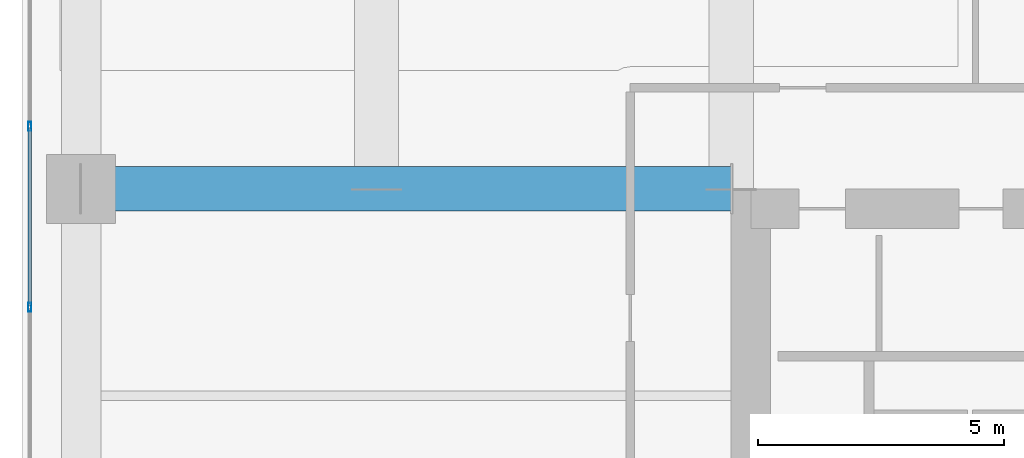
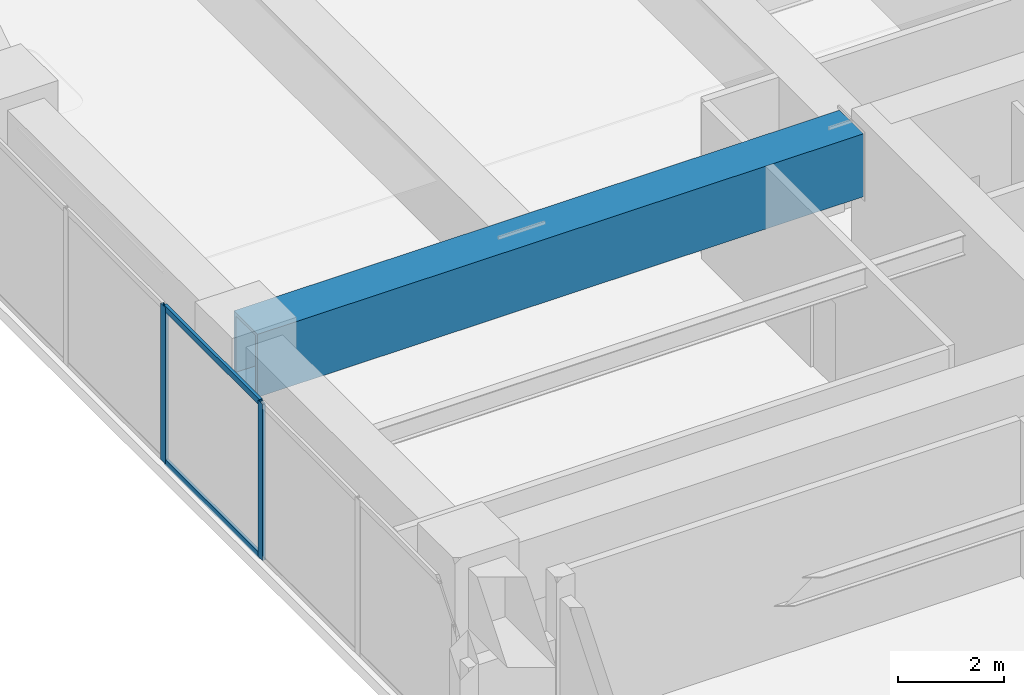
# One storey, part 8 of 25: 4 members, 1 beam, 1 element without a shape of its own.
"""IFC4 building model written with IfcOpenShell, lengths in metres."""

from ifc_helpers import new_model, si_unit, direction, frame, origin, origin_2d, place, context, subcontext, project, spatial, hollow_rectangle, extrude, material, layer, layer_set, material_profile, profile_set, type_object, element, aggregate, save


model = new_model("IFC4")

# Units and contexts
model_context = context("Model", 3, precision=1e-05, world=origin(), true_north=direction((0.0, 1.0)))
body_context = subcontext(model_context, "Body", "Model", "MODEL_VIEW")
ifc_project = project(units=[si_unit("LENGTHUNIT", "METRE"), si_unit("AREAUNIT", "SQUARE_METRE"), si_unit("VOLUMEUNIT", "CUBIC_METRE"), si_unit("PLANEANGLEUNIT", "RADIAN"), si_unit("MASSUNIT", "GRAM", prefix="KILO")], contexts=[model_context])

# Site, building, storey
site_placement = place(None, origin())
site = spatial("IfcSite", under=ifc_project, at=site_placement, CompositionType="ELEMENT")
building_placement = place(site_placement, origin())
building = spatial("IfcBuilding", under=site, at=building_placement, Name="Kiyonajd Concourse Tower", CompositionType="ELEMENT")
storey_placement = place(building_placement, frame((0.0, 0.0, 141.60009765625)))
storey = spatial("IfcBuildingStorey", under=building, at=storey_placement, Name="L36", CompositionType="ELEMENT", Elevation=141.60009765625)

# Beam
ifc_material_1 = material(Name="Steel ASTM A572 Grade 50", Category="steel")
ifc_material_profile_1 = material_profile(ifc_material_1, hollow_rectangle(XDim=0.89990234375, YDim=1.449951171875, WallThickness=0.074951171875, at=origin_2d()), Name="BOX-1450x900x75")
ifc_profile_set_1 = profile_set([ifc_material_profile_1], Name="Steel ASTM A572 Grade 50")
beam_type = type_object("IfcBeamType", Name="BM-XFER-1800", PredefinedType="BEAM", material=ifc_profile_set_1)
beam_placement = place(storey_placement, frame((19.199951171875, 44.39990234375, 2.875), z_axis=(1.0, 0.0, 0.0), x_axis=(0.0, 1.0, 0.0)))
element("IfcBeam", 1, at=beam_placement, inside=storey, type_object=beam_type, Name="L36 West Lease Girder", PredefinedType="BEAM", context=body_context, shape_type="SweptSolid", body=[
    extrude(hollow_rectangle(XDim=0.89990234375, YDim=1.449951171875, WallThickness=0.074951171875, at=origin_2d()), origin(), (0.0, 0.0, 1.0), 13.199951171875),
])

# Curtain wall, members
ifc_material_2 = material(Name="Thermally Broken Anodised Aluminium", Category="aluminium")
ifc_layer = layer(ifc_material_2, 0.179931640625)
ifc_layer_set = layer_set([ifc_layer], Name="Thermally Broken Anodised Aluminium")
curtain_wall_type = type_object("IfcCurtainWallType", Name="CW-SYS-03", PredefinedType="NOTDEFINED", material=ifc_layer_set)
curtain_wall_placement = place(storey_placement, origin())
curtain_wall = element("IfcCurtainWall", 2, at=curtain_wall_placement, inside=storey, type_object=curtain_wall_type, Name="L36 Unitised Curtain Wall CW3", PredefinedType="NOTDEFINED")
ifc_material_profile_2 = material_profile(ifc_material_2, hollow_rectangle(XDim=0.06494140625, YDim=0.179931640625, WallThickness=0.00390625, at=origin_2d()), Name="MULL-65x180")
ifc_profile_set_2 = profile_set([ifc_material_profile_2], Name="Thermally Broken Anodised Aluminium")
member_type_1 = type_object("IfcMemberType", Name="MB-CW-MULL1", PredefinedType="MULLION", material=ifc_profile_set_2)
member_1_placement = place(storey_placement, frame((18.159912109375, 41.996337890625, 0.0), z_axis=(0.0, 0.0, 1.0), x_axis=(-1.0, 0.0, 0.0)))
member_1 = element("IfcMember", 3, at=member_1_placement, type_object=member_type_1, Name="CW3 mullion 3", PredefinedType="MULLION", context=body_context, shape_type="SweptSolid", body=[
    extrude(hollow_rectangle(XDim=0.06494140625, YDim=0.179931640625, WallThickness=0.00390625, at=origin_2d()), origin(), (0.0, 0.0, 1.0), 3.599853515625),
])
member_2_placement = place(storey_placement, frame((18.159912109375, 45.66943359375, 0.0), z_axis=(0.0, 0.0, 1.0), x_axis=(-1.0, 0.0, 0.0)))
member_2 = element("IfcMember", 4, at=member_2_placement, type_object=member_type_1, Name="CW3 mullion 4", PredefinedType="MULLION", context=body_context, shape_type="SweptSolid", body=[
    extrude(hollow_rectangle(XDim=0.06494140625, YDim=0.179931640625, WallThickness=0.00390625, at=origin_2d()), origin(), (0.0, 0.0, 1.0), 3.599853515625),
])
ifc_material_profile_3 = material_profile(ifc_material_2, hollow_rectangle(XDim=0.06494140625, YDim=0.139892578125, WallThickness=0.00390625, at=origin_2d()), Name="TRAN-65x140")
ifc_profile_set_3 = profile_set([ifc_material_profile_3], Name="Thermally Broken Anodised Aluminium")
member_type_2 = type_object("IfcMemberType", Name="MB-CW-TRAN1", PredefinedType="USERDEFINED", material=ifc_profile_set_3)
member_3_placement = place(storey_placement, frame((18.159912109375, 42.02880859375, 0.032470703125), z_axis=(0.0, 1.0, 0.0), x_axis=(-1.0, 0.0, 0.0)))
member_3 = element("IfcMember", 5, at=member_3_placement, type_object=member_type_2, Name="CW3 transom 3.1", ObjectType="TRANSOM", PredefinedType="USERDEFINED", context=body_context, shape_type="SweptSolid", body=[
    extrude(hollow_rectangle(XDim=0.06494140625, YDim=0.139892578125, WallThickness=0.00390625, at=origin_2d()), origin(), (0.0, 0.0, 1.0), 3.608154296875),
])
member_4_placement = place(storey_placement, frame((18.159912109375, 42.02880859375, 3.5673828125), z_axis=(0.0, 1.0, 0.0), x_axis=(-1.0, 0.0, 0.0)))
member_4 = element("IfcMember", 6, at=member_4_placement, type_object=member_type_2, Name="CW3 transom 3.2", ObjectType="TRANSOM", PredefinedType="USERDEFINED", context=body_context, shape_type="SweptSolid", body=[
    extrude(hollow_rectangle(XDim=0.06494140625, YDim=0.139892578125, WallThickness=0.00390625, at=origin_2d()), origin(), (0.0, 0.0, 1.0), 3.608154296875),
])
aggregate(curtain_wall, [member_1, member_2, member_3, member_4])

save(model, "model.ifc")
